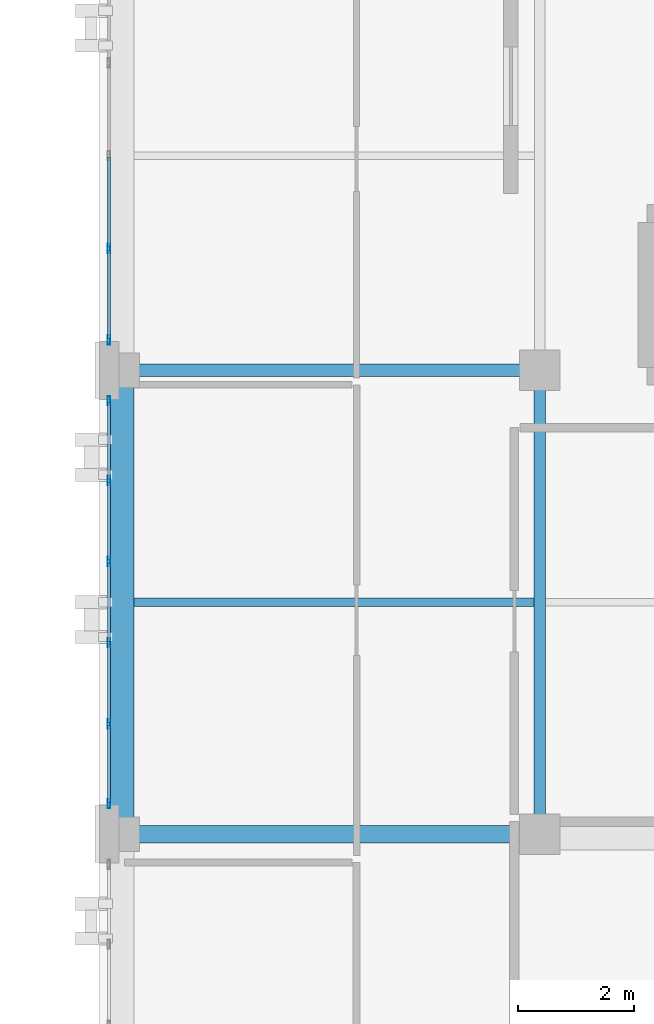
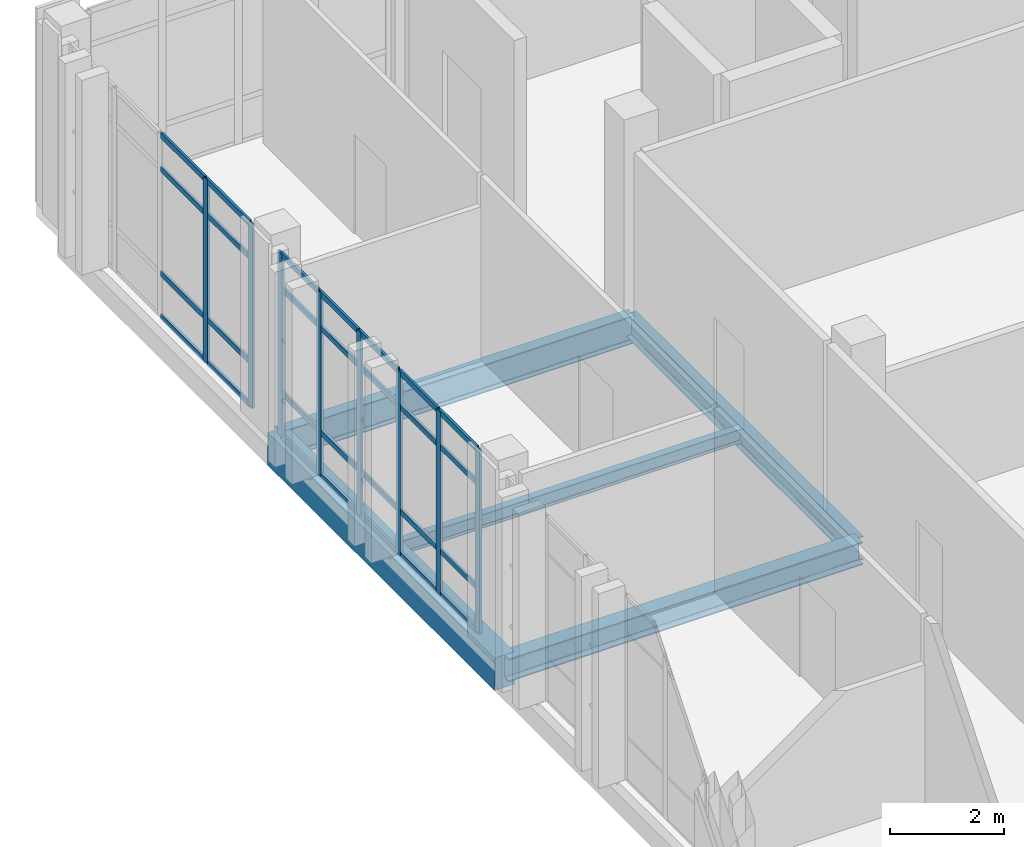
# One storey, part 6 of 22: 36 members, 5 beams, 2 elements without a shape of their own.
"""IFC4 building model written with IfcOpenShell, lengths in metres."""

from ifc_helpers import new_model, si_unit, direction, frame, origin, origin_2d, place, context, subcontext, project, spatial, rectangle, hollow_rectangle, i_section, extrude, material, layer, layer_set, material_profile, profile_set, type_object, element, aggregate, save


model = new_model("IFC4")

# Units and contexts
model_context = context("Model", 3, precision=1e-05, world=origin(), true_north=direction((0.0, 1.0)))
body_context = subcontext(model_context, "Body", "Model", "MODEL_VIEW")
ifc_project = project(units=[si_unit("LENGTHUNIT", "METRE"), si_unit("AREAUNIT", "SQUARE_METRE"), si_unit("VOLUMEUNIT", "CUBIC_METRE"), si_unit("PLANEANGLEUNIT", "RADIAN"), si_unit("MASSUNIT", "GRAM", prefix="KILO")], contexts=[model_context])

# Site, building, storey
site_placement = place(None, origin())
site = spatial("IfcSite", under=ifc_project, at=site_placement, CompositionType="ELEMENT")
building_placement = place(site_placement, origin())
building = spatial("IfcBuilding", under=site, at=building_placement, Name="Qalavern Law Courts", CompositionType="ELEMENT")
storey_placement = place(building_placement, frame((0.0, 0.0, 35.39990234375)))
storey = spatial("IfcBuildingStorey", under=building, at=storey_placement, Name="L08", CompositionType="ELEMENT", Elevation=35.39990234375)

# Curtain wall, members
ifc_material_1 = material(Name="Anodised aluminium and insulated glazing", Category="aluminium")
ifc_layer = layer(ifc_material_1, 0.159912109375)
ifc_layer_set = layer_set([ifc_layer], Name="Anodised aluminium and insulated glazing")
curtain_wall_type = type_object("IfcCurtainWallType", Name="ENV-CW-CHAMB", PredefinedType="USERDEFINED", material=ifc_layer_set)
curtain_wall_1_placement = place(storey_placement, origin())
curtain_wall_1 = element("IfcCurtainWall", 1, at=curtain_wall_1_placement, inside=storey, type_object=curtain_wall_type, Name="V4 unitised curtain wall L08 west 1", ObjectType="UNITISED CURTAIN WALL", PredefinedType="USERDEFINED")
ifc_material_2 = material(Name="Anodised aluminium", Category="aluminium")
ifc_material_profile_1 = material_profile(ifc_material_2, hollow_rectangle(XDim=0.048095703125, YDim=0.159912109375, WallThickness=0.00390625, at=origin_2d()), Name="ALU MULLION 48x160")
ifc_profile_set_1 = profile_set([ifc_material_profile_1], Name="Anodised aluminium")
member_type_1 = type_object("IfcMemberType", Name="ENV-CWM-48x160", PredefinedType="MULLION", material=ifc_profile_set_1)
member_1_placement = place(storey_placement, frame((84.3701171875, 67.5, 0.0), z_axis=(0.0, 0.0, 1.0), x_axis=(1.0, 0.0, 0.0)))
member_1 = element("IfcMember", 2, at=member_1_placement, type_object=member_type_1, Name="CW-04 mullion 4", PredefinedType="MULLION", context=body_context, shape_type="SweptSolid", body=[
    extrude(hollow_rectangle(XDim=0.048095703125, YDim=0.159912109375, WallThickness=0.00390625, at=origin_2d()), origin(), (0.0, 0.0, 1.0), 3.945068359375),
])
member_2_placement = place(storey_placement, frame((84.3701171875, 65.924072265625, 0.0), z_axis=(0.0, 0.0, 1.0), x_axis=(1.0, 0.0, 0.0)))
member_2 = element("IfcMember", 3, at=member_2_placement, type_object=member_type_1, Name="CW-04 mullion 5", PredefinedType="MULLION", context=body_context, shape_type="SweptSolid", body=[
    extrude(hollow_rectangle(XDim=0.048095703125, YDim=0.159912109375, WallThickness=0.00390625, at=origin_2d()), origin(), (0.0, 0.0, 1.0), 3.945068359375),
])

curtain_wall_2_placement = place(storey_placement, origin())
curtain_wall_2 = element("IfcCurtainWall", 4, at=curtain_wall_2_placement, inside=storey, type_object=curtain_wall_type, Name="V4 unitised curtain wall L08 west 2", ObjectType="UNITISED CURTAIN WALL", PredefinedType="USERDEFINED")
member_3_placement = place(storey_placement, frame((84.3701171875, 64.8759765625, 0.0), z_axis=(0.0, 0.0, 1.0), x_axis=(1.0, 0.0, 0.0)))
member_3 = element("IfcMember", 5, at=member_3_placement, type_object=member_type_1, Name="CW-04 mullion 1", PredefinedType="MULLION", context=body_context, shape_type="SweptSolid", body=[
    extrude(hollow_rectangle(XDim=0.048095703125, YDim=0.159912109375, WallThickness=0.00390625, at=origin_2d()), origin(), (0.0, 0.0, 1.0), 3.945068359375),
])
member_4_placement = place(storey_placement, frame((84.3701171875, 63.5, 0.0), z_axis=(0.0, 0.0, 1.0), x_axis=(1.0, 0.0, 0.0)))
member_4 = element("IfcMember", 6, at=member_4_placement, type_object=member_type_1, Name="CW-04 mullion 2", PredefinedType="MULLION", context=body_context, shape_type="SweptSolid", body=[
    extrude(hollow_rectangle(XDim=0.048095703125, YDim=0.159912109375, WallThickness=0.00390625, at=origin_2d()), origin(), (0.0, 0.0, 1.0), 3.945068359375),
])
member_5_placement = place(storey_placement, frame((84.3701171875, 62.10009765625, 0.0), z_axis=(0.0, 0.0, 1.0), x_axis=(1.0, 0.0, 0.0)))
member_5 = element("IfcMember", 7, at=member_5_placement, type_object=member_type_1, Name="CW-04 mullion 3", PredefinedType="MULLION", context=body_context, shape_type="SweptSolid", body=[
    extrude(hollow_rectangle(XDim=0.048095703125, YDim=0.159912109375, WallThickness=0.00390625, at=origin_2d()), origin(), (0.0, 0.0, 1.0), 3.945068359375),
])
member_6_placement = place(storey_placement, frame((84.3701171875, 60.699951171875, 0.0), z_axis=(0.0, 0.0, 1.0), x_axis=(1.0, 0.0, 0.0)))
member_6 = element("IfcMember", 8, at=member_6_placement, type_object=member_type_1, Name="CW-04 mullion 4", PredefinedType="MULLION", context=body_context, shape_type="SweptSolid", body=[
    extrude(hollow_rectangle(XDim=0.048095703125, YDim=0.159912109375, WallThickness=0.00390625, at=origin_2d()), origin(), (0.0, 0.0, 1.0), 3.945068359375),
])
member_7_placement = place(storey_placement, frame((84.3701171875, 59.300048828125, 0.0), z_axis=(0.0, 0.0, 1.0), x_axis=(1.0, 0.0, 0.0)))
member_7 = element("IfcMember", 9, at=member_7_placement, type_object=member_type_1, Name="CW-04 mullion 5", PredefinedType="MULLION", context=body_context, shape_type="SweptSolid", body=[
    extrude(hollow_rectangle(XDim=0.048095703125, YDim=0.159912109375, WallThickness=0.00390625, at=origin_2d()), origin(), (0.0, 0.0, 1.0), 3.945068359375),
])
member_8_placement = place(storey_placement, frame((84.3701171875, 57.924072265625, 0.0), z_axis=(0.0, 0.0, 1.0), x_axis=(1.0, 0.0, 0.0)))
member_8 = element("IfcMember", 10, at=member_8_placement, type_object=member_type_1, Name="CW-04 mullion 6", PredefinedType="MULLION", context=body_context, shape_type="SweptSolid", body=[
    extrude(hollow_rectangle(XDim=0.048095703125, YDim=0.159912109375, WallThickness=0.00390625, at=origin_2d()), origin(), (0.0, 0.0, 1.0), 3.945068359375),
])

# Member
ifc_material_profile_2 = material_profile(ifc_material_2, hollow_rectangle(XDim=0.048095703125, YDim=0.1201171875, WallThickness=0.00390625, at=origin_2d()), Name="ALU TRANSOM 48x120")
ifc_profile_set_2 = profile_set([ifc_material_profile_2], Name="Anodised aluminium")
member_type_2 = type_object("IfcMemberType", Name="ENV-CWT-48x120", PredefinedType="USERDEFINED", material=ifc_profile_set_2)
member_9_placement = place(storey_placement, frame((84.3701171875, 69.075927734375, 0.024169921875), z_axis=(0.0, -1.0, 0.0), x_axis=(1.0, 0.0, 0.0)))
member_9 = element("IfcMember", 11, at=member_9_placement, type_object=member_type_2, Name="CW-04 transom 3.1", ObjectType="TRANSOM", PredefinedType="USERDEFINED", context=body_context, shape_type="SweptSolid", body=[
    extrude(hollow_rectangle(XDim=0.048095703125, YDim=0.1201171875, WallThickness=0.00390625, at=origin_2d()), origin(), (0.0, 0.0, 1.0), 1.552001953125),
])

member_10_placement = place(storey_placement, frame((84.3701171875, 69.075927734375, 0.9501953125), z_axis=(0.0, -1.0, 0.0), x_axis=(1.0, 0.0, 0.0)))
member_10 = element("IfcMember", 12, at=member_10_placement, type_object=member_type_2, Name="CW-04 transom 3.2", ObjectType="TRANSOM", PredefinedType="USERDEFINED", context=body_context, shape_type="SweptSolid", body=[
    extrude(hollow_rectangle(XDim=0.048095703125, YDim=0.1201171875, WallThickness=0.00390625, at=origin_2d()), origin(), (0.0, 0.0, 1.0), 1.552001953125),
])

member_11_placement = place(storey_placement, frame((84.3701171875, 69.075927734375, 3.195068359375), z_axis=(0.0, -1.0, 0.0), x_axis=(1.0, 0.0, 0.0)))
member_11 = element("IfcMember", 13, at=member_11_placement, type_object=member_type_2, Name="CW-04 transom 3.3", ObjectType="TRANSOM", PredefinedType="USERDEFINED", context=body_context, shape_type="SweptSolid", body=[
    extrude(hollow_rectangle(XDim=0.048095703125, YDim=0.1201171875, WallThickness=0.00390625, at=origin_2d()), origin(), (0.0, 0.0, 1.0), 1.552001953125),
])

member_12_placement = place(storey_placement, frame((84.3701171875, 69.075927734375, 3.921142578125), z_axis=(0.0, -1.0, 0.0), x_axis=(1.0, 0.0, 0.0)))
member_12 = element("IfcMember", 14, at=member_12_placement, type_object=member_type_2, Name="CW-04 transom 3.4", ObjectType="TRANSOM", PredefinedType="USERDEFINED", context=body_context, shape_type="SweptSolid", body=[
    extrude(hollow_rectangle(XDim=0.048095703125, YDim=0.1201171875, WallThickness=0.00390625, at=origin_2d()), origin(), (0.0, 0.0, 1.0), 1.552001953125),
])

member_13_placement = place(storey_placement, frame((84.3701171875, 67.47607421875, 0.024169921875), z_axis=(0.0, -1.0, 0.0), x_axis=(1.0, 0.0, 0.0)))
member_13 = element("IfcMember", 15, at=member_13_placement, type_object=member_type_2, Name="CW-04 transom 4.1", ObjectType="TRANSOM", PredefinedType="USERDEFINED", context=body_context, shape_type="SweptSolid", body=[
    extrude(hollow_rectangle(XDim=0.048095703125, YDim=0.1201171875, WallThickness=0.00390625, at=origin_2d()), origin(), (0.0, 0.0, 1.0), 1.528076171875),
])

member_14_placement = place(storey_placement, frame((84.3701171875, 67.47607421875, 0.9501953125), z_axis=(0.0, -1.0, 0.0), x_axis=(1.0, 0.0, 0.0)))
member_14 = element("IfcMember", 16, at=member_14_placement, type_object=member_type_2, Name="CW-04 transom 4.2", ObjectType="TRANSOM", PredefinedType="USERDEFINED", context=body_context, shape_type="SweptSolid", body=[
    extrude(hollow_rectangle(XDim=0.048095703125, YDim=0.1201171875, WallThickness=0.00390625, at=origin_2d()), origin(), (0.0, 0.0, 1.0), 1.528076171875),
])

member_15_placement = place(storey_placement, frame((84.3701171875, 67.47607421875, 3.195068359375), z_axis=(0.0, -1.0, 0.0), x_axis=(1.0, 0.0, 0.0)))
member_15 = element("IfcMember", 17, at=member_15_placement, type_object=member_type_2, Name="CW-04 transom 4.3", ObjectType="TRANSOM", PredefinedType="USERDEFINED", context=body_context, shape_type="SweptSolid", body=[
    extrude(hollow_rectangle(XDim=0.048095703125, YDim=0.1201171875, WallThickness=0.00390625, at=origin_2d()), origin(), (0.0, 0.0, 1.0), 1.528076171875),
])

member_16_placement = place(storey_placement, frame((84.3701171875, 67.47607421875, 3.921142578125), z_axis=(0.0, -1.0, 0.0), x_axis=(1.0, 0.0, 0.0)))
member_16 = element("IfcMember", 18, at=member_16_placement, type_object=member_type_2, Name="CW-04 transom 4.4", ObjectType="TRANSOM", PredefinedType="USERDEFINED", context=body_context, shape_type="SweptSolid", body=[
    extrude(hollow_rectangle(XDim=0.048095703125, YDim=0.1201171875, WallThickness=0.00390625, at=origin_2d()), origin(), (0.0, 0.0, 1.0), 1.528076171875),
])

aggregate(curtain_wall_1, [member_1, member_2, member_9, member_10, member_11, member_12, member_13, member_14, member_15, member_16])

member_17_placement = place(storey_placement, frame((84.3701171875, 64.85205078125, 0.024169921875), z_axis=(0.0, -1.0, 0.0), x_axis=(1.0, 0.0, 0.0)))
member_17 = element("IfcMember", 19, at=member_17_placement, type_object=member_type_2, Name="CW-04 transom 1.1", ObjectType="TRANSOM", PredefinedType="USERDEFINED", context=body_context, shape_type="SweptSolid", body=[
    extrude(hollow_rectangle(XDim=0.048095703125, YDim=0.1201171875, WallThickness=0.00390625, at=origin_2d()), origin(), (0.0, 0.0, 1.0), 1.328125),
])

member_18_placement = place(storey_placement, frame((84.3701171875, 64.85205078125, 0.9501953125), z_axis=(0.0, -1.0, 0.0), x_axis=(1.0, 0.0, 0.0)))
member_18 = element("IfcMember", 20, at=member_18_placement, type_object=member_type_2, Name="CW-04 transom 1.2", ObjectType="TRANSOM", PredefinedType="USERDEFINED", context=body_context, shape_type="SweptSolid", body=[
    extrude(hollow_rectangle(XDim=0.048095703125, YDim=0.1201171875, WallThickness=0.00390625, at=origin_2d()), origin(), (0.0, 0.0, 1.0), 1.328125),
])

member_19_placement = place(storey_placement, frame((84.3701171875, 64.85205078125, 3.195068359375), z_axis=(0.0, -1.0, 0.0), x_axis=(1.0, 0.0, 0.0)))
member_19 = element("IfcMember", 21, at=member_19_placement, type_object=member_type_2, Name="CW-04 transom 1.3", ObjectType="TRANSOM", PredefinedType="USERDEFINED", context=body_context, shape_type="SweptSolid", body=[
    extrude(hollow_rectangle(XDim=0.048095703125, YDim=0.1201171875, WallThickness=0.00390625, at=origin_2d()), origin(), (0.0, 0.0, 1.0), 1.328125),
])

member_20_placement = place(storey_placement, frame((84.3701171875, 64.85205078125, 3.921142578125), z_axis=(0.0, -1.0, 0.0), x_axis=(1.0, 0.0, 0.0)))
member_20 = element("IfcMember", 22, at=member_20_placement, type_object=member_type_2, Name="CW-04 transom 1.4", ObjectType="TRANSOM", PredefinedType="USERDEFINED", context=body_context, shape_type="SweptSolid", body=[
    extrude(hollow_rectangle(XDim=0.048095703125, YDim=0.1201171875, WallThickness=0.00390625, at=origin_2d()), origin(), (0.0, 0.0, 1.0), 1.328125),
])

member_21_placement = place(storey_placement, frame((84.3701171875, 63.47607421875, 0.024169921875), z_axis=(0.0, -1.0, 0.0), x_axis=(1.0, 0.0, 0.0)))
member_21 = element("IfcMember", 23, at=member_21_placement, type_object=member_type_2, Name="CW-04 transom 2.1", ObjectType="TRANSOM", PredefinedType="USERDEFINED", context=body_context, shape_type="SweptSolid", body=[
    extrude(hollow_rectangle(XDim=0.048095703125, YDim=0.1201171875, WallThickness=0.00390625, at=origin_2d()), origin(), (0.0, 0.0, 1.0), 1.35205078125),
])

member_22_placement = place(storey_placement, frame((84.3701171875, 63.47607421875, 0.9501953125), z_axis=(0.0, -1.0, 0.0), x_axis=(1.0, 0.0, 0.0)))
member_22 = element("IfcMember", 24, at=member_22_placement, type_object=member_type_2, Name="CW-04 transom 2.2", ObjectType="TRANSOM", PredefinedType="USERDEFINED", context=body_context, shape_type="SweptSolid", body=[
    extrude(hollow_rectangle(XDim=0.048095703125, YDim=0.1201171875, WallThickness=0.00390625, at=origin_2d()), origin(), (0.0, 0.0, 1.0), 1.35205078125),
])

member_23_placement = place(storey_placement, frame((84.3701171875, 63.47607421875, 3.195068359375), z_axis=(0.0, -1.0, 0.0), x_axis=(1.0, 0.0, 0.0)))
member_23 = element("IfcMember", 25, at=member_23_placement, type_object=member_type_2, Name="CW-04 transom 2.3", ObjectType="TRANSOM", PredefinedType="USERDEFINED", context=body_context, shape_type="SweptSolid", body=[
    extrude(hollow_rectangle(XDim=0.048095703125, YDim=0.1201171875, WallThickness=0.00390625, at=origin_2d()), origin(), (0.0, 0.0, 1.0), 1.35205078125),
])

member_24_placement = place(storey_placement, frame((84.3701171875, 63.47607421875, 3.921142578125), z_axis=(0.0, -1.0, 0.0), x_axis=(1.0, 0.0, 0.0)))
member_24 = element("IfcMember", 26, at=member_24_placement, type_object=member_type_2, Name="CW-04 transom 2.4", ObjectType="TRANSOM", PredefinedType="USERDEFINED", context=body_context, shape_type="SweptSolid", body=[
    extrude(hollow_rectangle(XDim=0.048095703125, YDim=0.1201171875, WallThickness=0.00390625, at=origin_2d()), origin(), (0.0, 0.0, 1.0), 1.35205078125),
])

member_25_placement = place(storey_placement, frame((84.3701171875, 62.075927734375, 0.024169921875), z_axis=(0.0, -1.0, 0.0), x_axis=(1.0, 0.0, 0.0)))
member_25 = element("IfcMember", 27, at=member_25_placement, type_object=member_type_2, Name="CW-04 transom 3.1", ObjectType="TRANSOM", PredefinedType="USERDEFINED", context=body_context, shape_type="SweptSolid", body=[
    extrude(hollow_rectangle(XDim=0.048095703125, YDim=0.1201171875, WallThickness=0.00390625, at=origin_2d()), origin(), (0.0, 0.0, 1.0), 1.351806640625),
])

member_26_placement = place(storey_placement, frame((84.3701171875, 62.075927734375, 0.9501953125), z_axis=(0.0, -1.0, 0.0), x_axis=(1.0, 0.0, 0.0)))
member_26 = element("IfcMember", 28, at=member_26_placement, type_object=member_type_2, Name="CW-04 transom 3.2", ObjectType="TRANSOM", PredefinedType="USERDEFINED", context=body_context, shape_type="SweptSolid", body=[
    extrude(hollow_rectangle(XDim=0.048095703125, YDim=0.1201171875, WallThickness=0.00390625, at=origin_2d()), origin(), (0.0, 0.0, 1.0), 1.351806640625),
])

member_27_placement = place(storey_placement, frame((84.3701171875, 62.075927734375, 3.195068359375), z_axis=(0.0, -1.0, 0.0), x_axis=(1.0, 0.0, 0.0)))
member_27 = element("IfcMember", 29, at=member_27_placement, type_object=member_type_2, Name="CW-04 transom 3.3", ObjectType="TRANSOM", PredefinedType="USERDEFINED", context=body_context, shape_type="SweptSolid", body=[
    extrude(hollow_rectangle(XDim=0.048095703125, YDim=0.1201171875, WallThickness=0.00390625, at=origin_2d()), origin(), (0.0, 0.0, 1.0), 1.351806640625),
])

member_28_placement = place(storey_placement, frame((84.3701171875, 62.075927734375, 3.921142578125), z_axis=(0.0, -1.0, 0.0), x_axis=(1.0, 0.0, 0.0)))
member_28 = element("IfcMember", 30, at=member_28_placement, type_object=member_type_2, Name="CW-04 transom 3.4", ObjectType="TRANSOM", PredefinedType="USERDEFINED", context=body_context, shape_type="SweptSolid", body=[
    extrude(hollow_rectangle(XDim=0.048095703125, YDim=0.1201171875, WallThickness=0.00390625, at=origin_2d()), origin(), (0.0, 0.0, 1.0), 1.351806640625),
])

member_29_placement = place(storey_placement, frame((84.3701171875, 60.676025390625, 0.024169921875), z_axis=(0.0, -1.0, 0.0), x_axis=(1.0, 0.0, 0.0)))
member_29 = element("IfcMember", 31, at=member_29_placement, type_object=member_type_2, Name="CW-04 transom 4.1", ObjectType="TRANSOM", PredefinedType="USERDEFINED", context=body_context, shape_type="SweptSolid", body=[
    extrude(hollow_rectangle(XDim=0.048095703125, YDim=0.1201171875, WallThickness=0.00390625, at=origin_2d()), origin(), (0.0, 0.0, 1.0), 1.35205078125),
])

member_30_placement = place(storey_placement, frame((84.3701171875, 60.676025390625, 0.9501953125), z_axis=(0.0, -1.0, 0.0), x_axis=(1.0, 0.0, 0.0)))
member_30 = element("IfcMember", 32, at=member_30_placement, type_object=member_type_2, Name="CW-04 transom 4.2", ObjectType="TRANSOM", PredefinedType="USERDEFINED", context=body_context, shape_type="SweptSolid", body=[
    extrude(hollow_rectangle(XDim=0.048095703125, YDim=0.1201171875, WallThickness=0.00390625, at=origin_2d()), origin(), (0.0, 0.0, 1.0), 1.35205078125),
])

member_31_placement = place(storey_placement, frame((84.3701171875, 60.676025390625, 3.195068359375), z_axis=(0.0, -1.0, 0.0), x_axis=(1.0, 0.0, 0.0)))
member_31 = element("IfcMember", 33, at=member_31_placement, type_object=member_type_2, Name="CW-04 transom 4.3", ObjectType="TRANSOM", PredefinedType="USERDEFINED", context=body_context, shape_type="SweptSolid", body=[
    extrude(hollow_rectangle(XDim=0.048095703125, YDim=0.1201171875, WallThickness=0.00390625, at=origin_2d()), origin(), (0.0, 0.0, 1.0), 1.35205078125),
])

member_32_placement = place(storey_placement, frame((84.3701171875, 60.676025390625, 3.921142578125), z_axis=(0.0, -1.0, 0.0), x_axis=(1.0, 0.0, 0.0)))
member_32 = element("IfcMember", 34, at=member_32_placement, type_object=member_type_2, Name="CW-04 transom 4.4", ObjectType="TRANSOM", PredefinedType="USERDEFINED", context=body_context, shape_type="SweptSolid", body=[
    extrude(hollow_rectangle(XDim=0.048095703125, YDim=0.1201171875, WallThickness=0.00390625, at=origin_2d()), origin(), (0.0, 0.0, 1.0), 1.35205078125),
])

member_33_placement = place(storey_placement, frame((84.3701171875, 59.27587890625, 0.024169921875), z_axis=(0.0, -1.0, 0.0), x_axis=(1.0, 0.0, 0.0)))
member_33 = element("IfcMember", 35, at=member_33_placement, type_object=member_type_2, Name="CW-04 transom 5.1", ObjectType="TRANSOM", PredefinedType="USERDEFINED", context=body_context, shape_type="SweptSolid", body=[
    extrude(hollow_rectangle(XDim=0.048095703125, YDim=0.1201171875, WallThickness=0.00390625, at=origin_2d()), origin(), (0.0, 0.0, 1.0), 1.327880859375),
])

member_34_placement = place(storey_placement, frame((84.3701171875, 59.27587890625, 0.9501953125), z_axis=(0.0, -1.0, 0.0), x_axis=(1.0, 0.0, 0.0)))
member_34 = element("IfcMember", 36, at=member_34_placement, type_object=member_type_2, Name="CW-04 transom 5.2", ObjectType="TRANSOM", PredefinedType="USERDEFINED", context=body_context, shape_type="SweptSolid", body=[
    extrude(hollow_rectangle(XDim=0.048095703125, YDim=0.1201171875, WallThickness=0.00390625, at=origin_2d()), origin(), (0.0, 0.0, 1.0), 1.327880859375),
])

member_35_placement = place(storey_placement, frame((84.3701171875, 59.27587890625, 3.195068359375), z_axis=(0.0, -1.0, 0.0), x_axis=(1.0, 0.0, 0.0)))
member_35 = element("IfcMember", 37, at=member_35_placement, type_object=member_type_2, Name="CW-04 transom 5.3", ObjectType="TRANSOM", PredefinedType="USERDEFINED", context=body_context, shape_type="SweptSolid", body=[
    extrude(hollow_rectangle(XDim=0.048095703125, YDim=0.1201171875, WallThickness=0.00390625, at=origin_2d()), origin(), (0.0, 0.0, 1.0), 1.327880859375),
])

member_36_placement = place(storey_placement, frame((84.3701171875, 59.27587890625, 3.921142578125), z_axis=(0.0, -1.0, 0.0), x_axis=(1.0, 0.0, 0.0)))
member_36 = element("IfcMember", 38, at=member_36_placement, type_object=member_type_2, Name="CW-04 transom 5.4", ObjectType="TRANSOM", PredefinedType="USERDEFINED", context=body_context, shape_type="SweptSolid", body=[
    extrude(hollow_rectangle(XDim=0.048095703125, YDim=0.1201171875, WallThickness=0.00390625, at=origin_2d()), origin(), (0.0, 0.0, 1.0), 1.327880859375),
])

aggregate(curtain_wall_2, [member_3, member_4, member_5, member_6, member_7, member_8, member_17, member_18, member_19, member_20, member_21, member_22, member_23, member_24, member_25, member_26, member_27, member_28, member_29, member_30, member_31, member_32, member_33, member_34, member_35, member_36])

# Beams
ifc_material_3 = material(Name="Steel S355", Category="steel")
ifc_material_profile_3 = material_profile(ifc_material_3, i_section(OverallWidth=0.300048828125, OverallDepth=0.489990234375, WebThickness=0.011962890625, FlangeThickness=0.02294921875, FilletRadius=0.027099609375, at=origin_2d()), Name="HEA 500")
ifc_profile_set_3 = profile_set([ifc_material_profile_3], Name="Steel S355")
beam_type_1 = type_object("IfcBeamType", Name="STR-BM-HEA500", PredefinedType="BEAM", material=ifc_profile_set_3)
beam_1_placement = place(storey_placement, frame((84.60009765625, 57.39990234375, -0.5048828125), z_axis=(1.0, 0.0, 0.0), x_axis=(0.0, 1.0, 0.0)))
element("IfcBeam", 39, at=beam_1_placement, inside=storey, type_object=beam_type_1, Name="V4 X-beam 3-1 L08", PredefinedType="BEAM", context=body_context, shape_type="SweptSolid", body=[
    extrude(i_section(OverallWidth=0.300048828125, OverallDepth=0.489990234375, WebThickness=0.011962890625, FlangeThickness=0.02294921875, FilletRadius=0.027099609375, at=origin_2d()), origin(), (0.0, 0.0, 1.0), 7.199951171875),
])
ifc_material_profile_4 = material_profile(ifc_material_3, i_section(OverallWidth=0.199951171875, OverallDepth=0.5, WebThickness=0.01025390625, FlangeThickness=0.01611328125, FilletRadius=0.02099609375, at=origin_2d()), Name="IPE 500")
ifc_profile_set_4 = profile_set([ifc_material_profile_4], Name="Steel S355")
beam_type_2 = type_object("IfcBeamType", Name="STR-BM-IPE500", PredefinedType="BEAM", material=ifc_profile_set_4)
beam_2_placement = place(storey_placement, frame((91.800048828125, 57.39990234375, -0.510009765625), z_axis=(0.0, 1.0, 0.0), x_axis=(-1.0, 0.0, 0.0)))
element("IfcBeam", 40, at=beam_2_placement, inside=storey, type_object=beam_type_2, Name="V4 Y-beam 2-2 L08", PredefinedType="BEAM", context=body_context, shape_type="SweptSolid", body=[
    extrude(i_section(OverallWidth=0.199951171875, OverallDepth=0.5, WebThickness=0.01025390625, FlangeThickness=0.01611328125, FilletRadius=0.02099609375, at=origin_2d()), origin(), (0.0, 0.0, 1.0), 8.0),
])
ifc_material_profile_5 = material_profile(ifc_material_3, i_section(OverallWidth=0.219970703125, OverallDepth=0.60009765625, WebThickness=0.011962890625, FlangeThickness=0.01904296875, FilletRadius=0.02392578125, at=origin_2d()), Name="IPE 600")
ifc_profile_set_5 = profile_set([ifc_material_profile_5], Name="Steel S355")
beam_type_3 = type_object("IfcBeamType", Name="STR-BM-IPE600", PredefinedType="BEAM", material=ifc_profile_set_5)
beam_3_placement = place(storey_placement, frame((84.60009765625, 65.39990234375, -0.559814453125), z_axis=(1.0, 0.0, 0.0), x_axis=(0.0, 1.0, 0.0)))
element("IfcBeam", 41, at=beam_3_placement, inside=storey, type_object=beam_type_3, Name="V4 X-beam 4-1 L08", PredefinedType="BEAM", context=body_context, shape_type="SweptSolid", body=[
    extrude(i_section(OverallWidth=0.219970703125, OverallDepth=0.60009765625, WebThickness=0.011962890625, FlangeThickness=0.01904296875, FilletRadius=0.02392578125, at=origin_2d()), origin(), (0.0, 0.0, 1.0), 7.199951171875),
])
ifc_material_profile_6 = material_profile(ifc_material_3, i_section(OverallWidth=0.14990234375, OverallDepth=0.300048828125, WebThickness=0.007080078125, FlangeThickness=0.0107421875, FilletRadius=0.014892578125, at=origin_2d()), Name="IPE 300")
ifc_profile_set_6 = profile_set([ifc_material_profile_6], Name="Steel S355")
beam_type_4 = type_object("IfcBeamType", Name="STR-JST-IPE300", PredefinedType="JOIST", material=ifc_profile_set_6)
beam_4_placement = place(storey_placement, frame((84.798095703125, 61.39990234375, -0.409912109375), z_axis=(1.0, 0.0, 0.0), x_axis=(0.0, 1.0, 0.0)))
element("IfcBeam", 42, at=beam_4_placement, inside=storey, type_object=beam_type_4, Name="V4 secondary joist 1.3.1 L08", PredefinedType="JOIST", context=body_context, shape_type="SweptSolid", body=[
    extrude(i_section(OverallWidth=0.14990234375, OverallDepth=0.300048828125, WebThickness=0.007080078125, FlangeThickness=0.0107421875, FilletRadius=0.014892578125, at=origin_2d()), origin(), (0.0, 0.0, 1.0), 6.90380859375),
])
ifc_material_4 = material(Name="Concrete C40/50", Category="concrete")
ifc_material_profile_7 = material_profile(ifc_material_4, rectangle(XDim=0.39990234375, YDim=0.699951171875, at=origin_2d()), Name="RC 400x700")
ifc_profile_set_7 = profile_set([ifc_material_profile_7], Name="Concrete C40/50")
beam_type_5 = type_object("IfcBeamType", Name="STR-SP-RC400x700", PredefinedType="SPANDREL", material=ifc_profile_set_7)
beam_5_placement = place(storey_placement, frame((84.60009765625, 57.39990234375, -0.60986328125), z_axis=(0.0, 1.0, 0.0), x_axis=(-1.0, 0.0, 0.0)))
element("IfcBeam", 43, at=beam_5_placement, inside=storey, type_object=beam_type_5, Name="V4 Y-beam 1-3 L08", PredefinedType="SPANDREL", context=body_context, shape_type="SweptSolid", body=[
    extrude(rectangle(XDim=0.39990234375, YDim=0.699951171875, at=origin_2d()), origin(), (0.0, 0.0, 1.0), 8.0),
])

save(model, "model.ifc")
